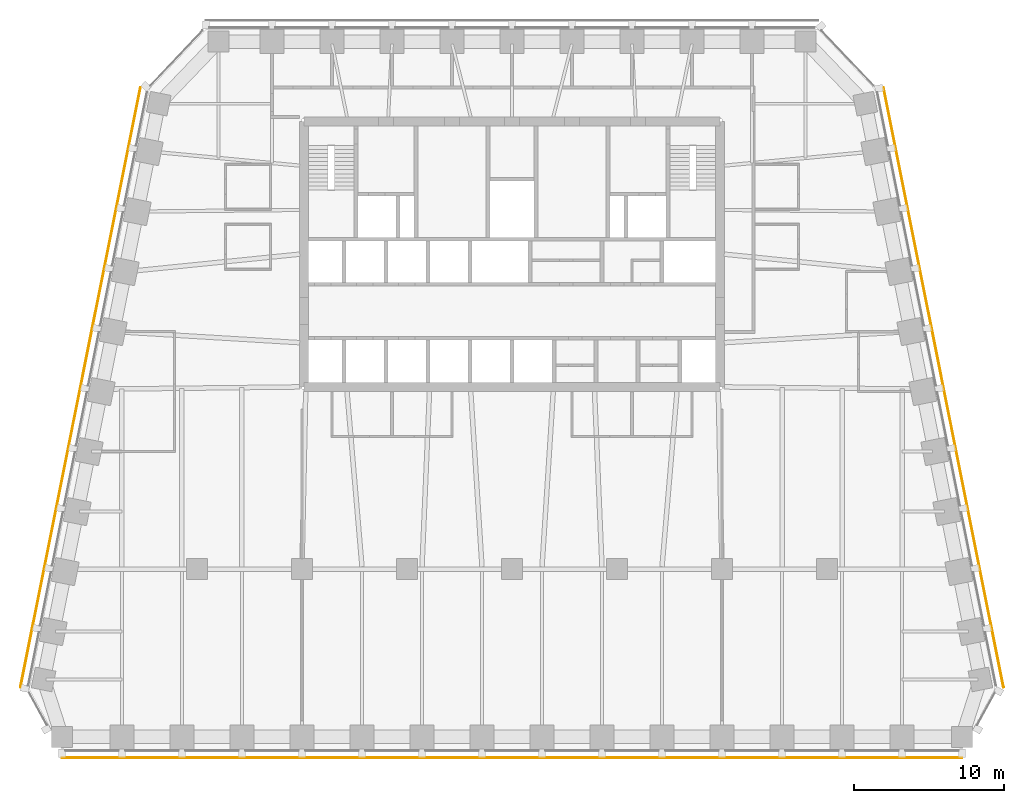
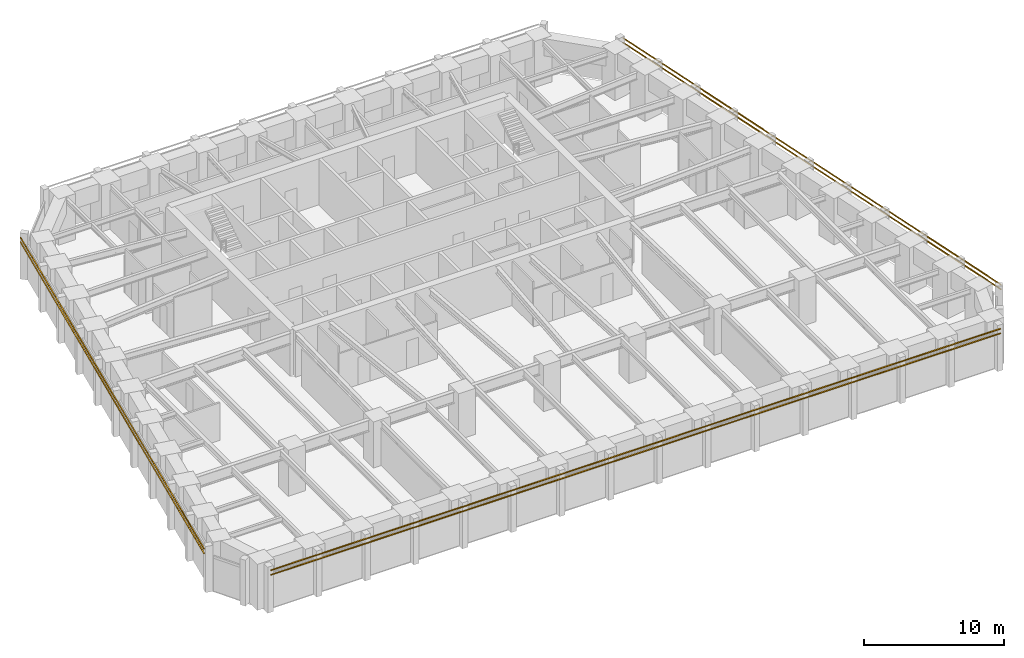
# One storey, part 9 of 10: 6 shading devices.
"""IFC4 building model written with IfcOpenShell, lengths in metres."""

from ifc_helpers import new_model, si_unit, direction, frame, origin, origin_2d, place, context, subcontext, project, spatial, rectangle, extrude, material, material_profile, profile_set, type_object, element, save


model = new_model("IFC4")

# Units and contexts
model_context = context("Model", 3, precision=1e-05, world=origin(), true_north=direction((0.0, 1.0)))
body_context = subcontext(model_context, "Body", "Model", "MODEL_VIEW")
ifc_project = project(units=[si_unit("LENGTHUNIT", "METRE"), si_unit("AREAUNIT", "SQUARE_METRE"), si_unit("VOLUMEUNIT", "CUBIC_METRE"), si_unit("PLANEANGLEUNIT", "RADIAN"), si_unit("MASSUNIT", "GRAM", prefix="KILO")], contexts=[model_context])

# Site, building, storey
site_placement = place(None, origin())
site = spatial("IfcSite", under=ifc_project, at=site_placement, CompositionType="ELEMENT")
building_placement = place(site_placement, origin())
building = spatial("IfcBuilding", under=site, at=building_placement, Name="Isbrekke Arena Tower", CompositionType="ELEMENT")
storey_placement = place(building_placement, frame((0.0, 0.0, 218.0)))
storey = spatial("IfcBuildingStorey", under=building, at=storey_placement, Name="L50", CompositionType="ELEMENT", Elevation=218.0)

# Shading devices
ifc_material = material(Name="Terracotta", Category="masonry")
ifc_material_profile = material_profile(ifc_material, rectangle(XDim=0.06005859375, YDim=0.06005859375, at=origin_2d()), Name="BAGUETTE 60X60")
ifc_profile_set = profile_set([ifc_material_profile], Name="Terracotta")
shading_device_type = type_object("IfcShadingDeviceType", Name="BG1 TERRACOTTA BAGUETTE 60 x 60", PredefinedType="USERDEFINED", material=ifc_profile_set)
for number, where, z_axis, x_axis, name in (
    (1, (-30.0, -18.580078125, 3.280029296875), (1.0, 0.0, 0.0), (0.0, 1.0, 0.0), "BG1 terracotta baguette S1 L50"),
    (2, (-30.0, -18.580078125, 3.679931640625), (1.0, 0.0, 0.0), (0.0, 1.0, 0.0), "BG1 terracotta baguette S2 L50"),
):
    element("IfcShadingDevice", number, at=place(storey_placement, frame(where, z_axis=z_axis, x_axis=x_axis)), inside=storey, type_object=shading_device_type, Name=name, ObjectType="TERRACOTTA BAGUETTE", PredefinedType="USERDEFINED", context=body_context, shape_type="SweptSolid", body=[
        extrude(rectangle(XDim=0.06005859375, YDim=0.06005859375, at=origin_2d()), origin(), (0.0, 0.0, 1.0), 60.0),
    ])
for number, where, z_axis, x_axis, name in (
    (3, (32.768798828125, -13.88623046875, 3.280029296875), (-0.196116135138, 0.980580675691, 0.0), (-0.980580675691, -0.196116135138, 0.0), "BG1 terracotta baguette E1 L50"),
    (4, (32.768798828125, -13.88623046875, 3.679931640625), (-0.196116135138, 0.980580675691, 0.0), (-0.980580675691, -0.196116135138, 0.0), "BG1 terracotta baguette E2 L50"),
    (5, (-24.768798828125, 26.11376953125, 3.280029296875), (-0.196116135138, -0.980580675691, 0.0), (0.980580675691, -0.196116135138, 0.0), "BG1 terracotta baguette W1 L50"),
    (6, (-24.768798828125, 26.11376953125, 3.679931640625), (-0.196116135138, -0.980580675691, 0.0), (0.980580675691, -0.196116135138, 0.0), "BG1 terracotta baguette W2 L50"),
):
    element("IfcShadingDevice", number, at=place(storey_placement, frame(where, z_axis=z_axis, x_axis=x_axis)), inside=storey, type_object=shading_device_type, Name=name, ObjectType="TERRACOTTA BAGUETTE", PredefinedType="USERDEFINED", context=body_context, shape_type="SweptSolid", body=[
        extrude(rectangle(XDim=0.06005859375, YDim=0.06005859375, at=origin_2d()), origin(), (0.0, 0.0, 1.0), 40.792236328125),
    ])

save(model, "model.ifc")
